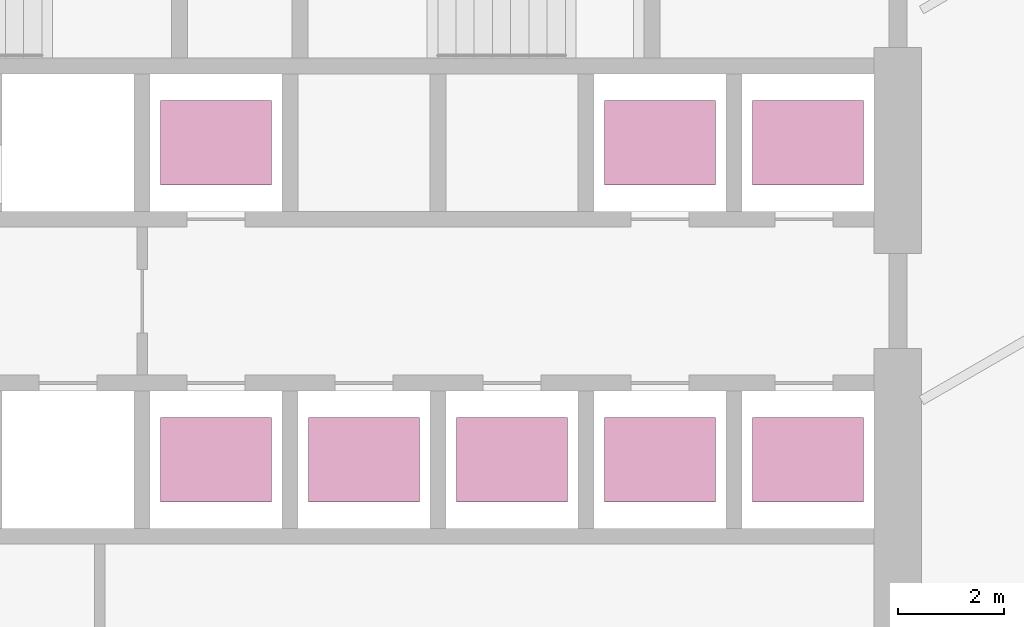
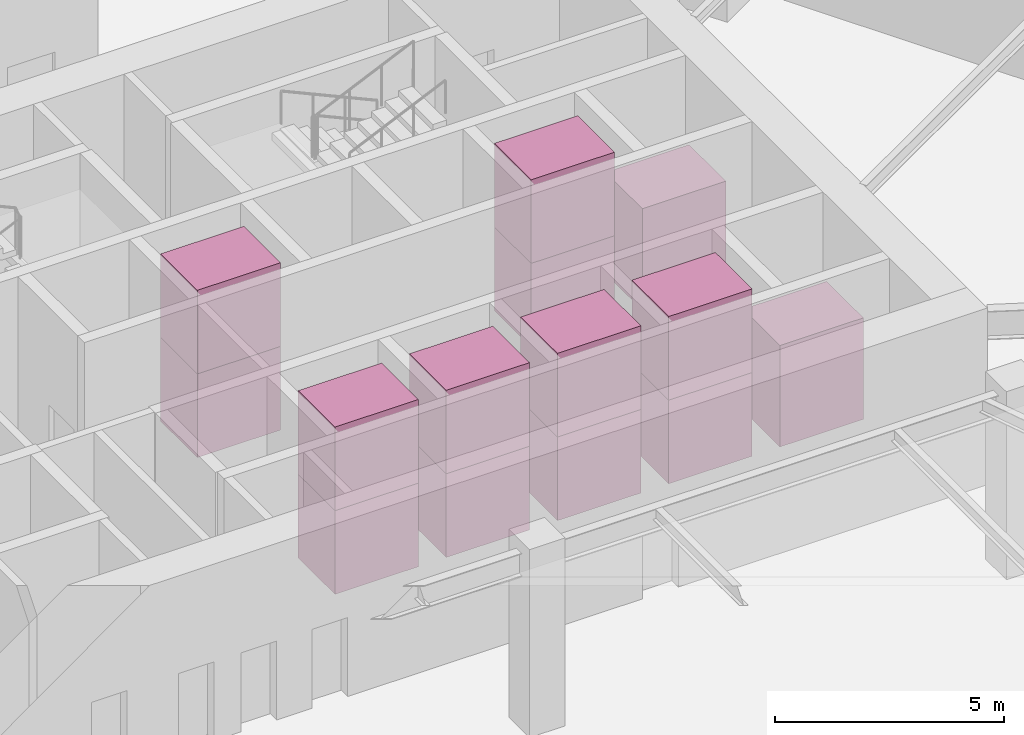
# One storey, part 9 of 9: 14 transport elements.
"""IFC4 building model written with IfcOpenShell, lengths in metres."""

from ifc_helpers import new_model, si_unit, direction, frame, origin, origin_2d, place, context, subcontext, project, spatial, rectangle, extrude, material, type_object, element, save


model = new_model("IFC4")

# Units and contexts
model_context = context("Model", 3, precision=1e-05, world=origin(), true_north=direction((0.0, 1.0)))
body_context = subcontext(model_context, "Body", "Model", "MODEL_VIEW")
ifc_project = project(units=[si_unit("LENGTHUNIT", "METRE"), si_unit("AREAUNIT", "SQUARE_METRE"), si_unit("VOLUMEUNIT", "CUBIC_METRE"), si_unit("PLANEANGLEUNIT", "RADIAN"), si_unit("MASSUNIT", "GRAM", prefix="KILO")], contexts=[model_context])

# Site, building, storey
site_placement = place(None, origin())
site = spatial("IfcSite", under=ifc_project, at=site_placement, CompositionType="ELEMENT")
building_placement = place(site_placement, origin())
building = spatial("IfcBuilding", under=site, at=building_placement, Name="Firuza Gate Tower and Library", CompositionType="ELEMENT")
storey_placement = place(building_placement, frame((0.0, 0.0, -5.0)))
storey = spatial("IfcBuildingStorey", under=building, at=storey_placement, Name="B1", CompositionType="ELEMENT", Elevation=-5.0)

# Transport elements
ifc_material = material(Name="Stainless steel and glass", Category="steel")
transport_element_type = type_object("IfcTransportElementType", Name="Low-rise lift car 2100x1600", PredefinedType="ELEVATOR", material=ifc_material)
for number, where, z_axis, x_axis, name in (
    (1, (74.64990234375, 70.300048828125, 0.0), (0.0, 0.0, 1.0), (1.0, 0.0, 0.0), "Low-rise lift LR1"),
    (2, (74.64990234375, 70.300048828125, 2.224853515625), (0.0, 0.0, 1.0), (1.0, 0.0, 0.0), "Low-rise lift LR1"),
    (3, (77.449951171875, 70.300048828125, 0.0), (0.0, 0.0, 1.0), (1.0, 0.0, 0.0), "Low-rise lift LR2"),
    (4, (77.449951171875, 70.300048828125, 2.224853515625), (0.0, 0.0, 1.0), (1.0, 0.0, 0.0), "Low-rise lift LR2"),
    (5, (80.25, 70.300048828125, 0.0), (0.0, 0.0, 1.0), (1.0, 0.0, 0.0), "Low-rise lift LR3"),
    (6, (80.25, 70.300048828125, 2.224853515625), (0.0, 0.0, 1.0), (1.0, 0.0, 0.0), "Low-rise lift LR3"),
    (7, (74.64990234375, 76.300048828125, 0.0), (0.0, 0.0, 1.0), (1.0, 0.0, 0.0), "Low-rise lift LR4"),
    (8, (74.64990234375, 76.300048828125, 2.224853515625), (0.0, 0.0, 1.0), (1.0, 0.0, 0.0), "Low-rise lift LR4"),
    (9, (83.050048828125, 70.300048828125, 0.0), (0.0, 0.0, 1.0), (1.0, 0.0, 0.0), "Low-rise lift LR5"),
    (10, (83.050048828125, 70.300048828125, 2.224853515625), (0.0, 0.0, 1.0), (1.0, 0.0, 0.0), "Low-rise lift LR5"),
    (11, (83.050048828125, 76.300048828125, 0.0), (0.0, 0.0, 1.0), (1.0, 0.0, 0.0), "Low-rise lift LR6"),
    (12, (83.050048828125, 76.300048828125, 2.224853515625), (0.0, 0.0, 1.0), (1.0, 0.0, 0.0), "Low-rise lift LR6"),
):
    element("IfcTransportElement", number, at=place(storey_placement, frame(where, z_axis=z_axis, x_axis=x_axis)), inside=storey, type_object=transport_element_type, Name=name, PredefinedType="ELEVATOR", context=body_context, shape_type="SweptSolid", body=[
        extrude(rectangle(XDim=2.10009765625, YDim=1.60009765625, at=origin_2d()), origin(), (0.0, 0.0, 1.0), 2.22509765625),
    ])
for number, where, z_axis, x_axis, name in (
    (13, (85.85009765625, 70.300048828125, 0.0), (0.0, 0.0, 1.0), (1.0, 0.0, 0.0), "Low-rise lift LR7"),
    (14, (85.85009765625, 76.300048828125, 0.0), (0.0, 0.0, 1.0), (1.0, 0.0, 0.0), "Low-rise lift LR8"),
):
    element("IfcTransportElement", number, at=place(storey_placement, frame(where, z_axis=z_axis, x_axis=x_axis)), inside=storey, type_object=transport_element_type, Name=name, PredefinedType="ELEVATOR", context=body_context, shape_type="SweptSolid", body=[
        extrude(rectangle(XDim=2.10009765625, YDim=1.60009765625, at=origin_2d()), origin(), (0.0, 0.0, 1.0), 2.699951171875),
    ])

save(model, "model.ifc")
